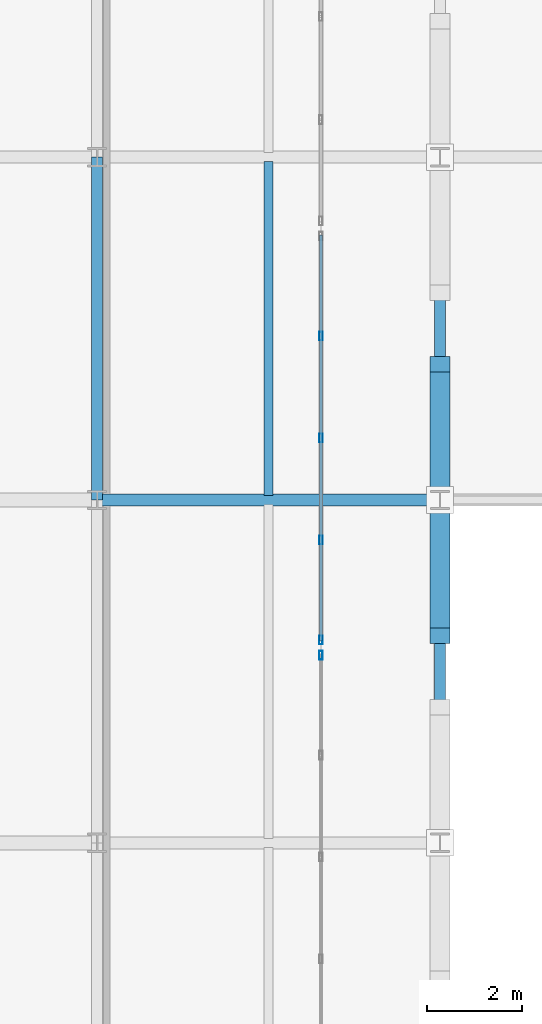
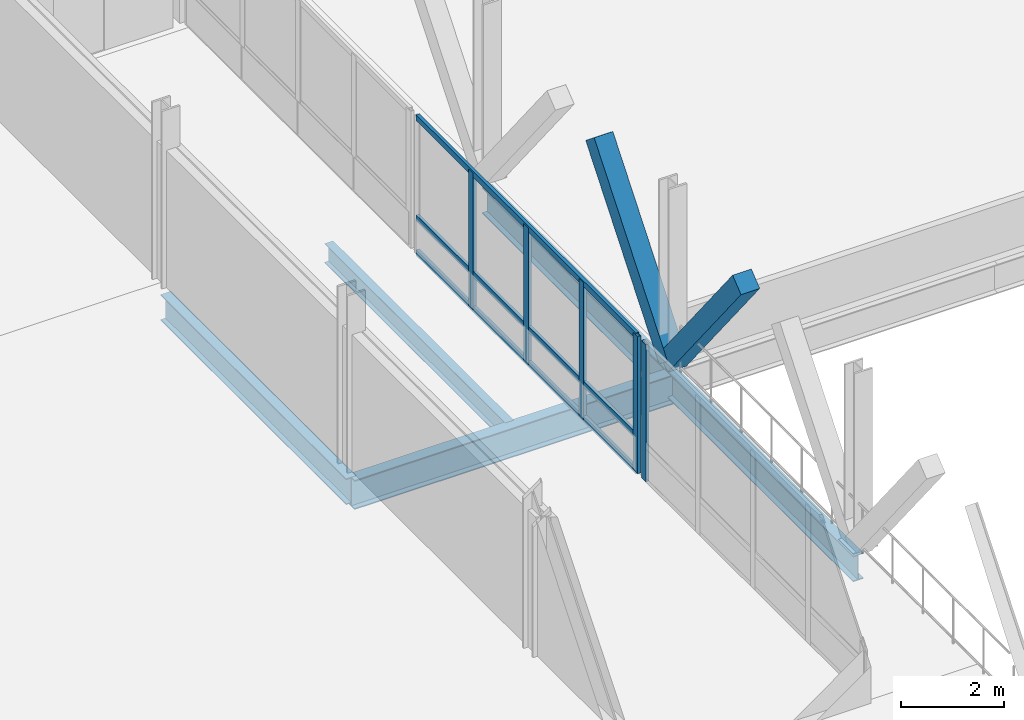
# One storey, part 19 of 102: 10 members, 5 beams, 2 elements without a shape of their own.
"""IFC4 building model written with IfcOpenShell, lengths in metres."""

from ifc_helpers import new_model, si_unit, direction, frame, origin, origin_2d, place, context, subcontext, project, spatial, rectangle, hollow_rectangle, i_section, extrude, material, material_profile, profile_set, type_object, element, aggregate, save


model = new_model("IFC4")

# Units and contexts
model_context = context("Model", 3, precision=1e-05, world=origin(), true_north=direction((0.0, 1.0)))
body_context = subcontext(model_context, "Body", "Model", "MODEL_VIEW")
ifc_project = project(units=[si_unit("LENGTHUNIT", "METRE"), si_unit("AREAUNIT", "SQUARE_METRE"), si_unit("VOLUMEUNIT", "CUBIC_METRE"), si_unit("PLANEANGLEUNIT", "RADIAN"), si_unit("MASSUNIT", "GRAM", prefix="KILO")], contexts=[model_context])

# Site, building, storey
site_placement = place(None, origin())
site = spatial("IfcSite", under=ifc_project, at=site_placement, CompositionType="ELEMENT")
building_placement = place(site_placement, origin())
building = spatial("IfcBuilding", under=site, at=building_placement, Name="Yarey Park Central Fire Station", CompositionType="ELEMENT")
storey_placement = place(building_placement, frame((0.0, 0.0, 6.0)))
storey = spatial("IfcBuildingStorey", under=building, at=storey_placement, Name="L02", CompositionType="ELEMENT", Elevation=6.0)

# Curtain wall, member
ifc_material_1 = material(Name="Anodized Aluminium Frame", Category="aluminium")
curtain_wall_type = type_object("IfcCurtainWallType", Name="ENV_CW_V3_GALW", PredefinedType="NOTDEFINED", material=ifc_material_1)
curtain_wall_1_placement = place(storey_placement, origin())
curtain_wall_1 = element("IfcCurtainWall", 1, at=curtain_wall_1_placement, inside=storey, type_object=curtain_wall_type, Name="CW_L02_V1_E_037", PredefinedType="NOTDEFINED")
ifc_material_profile_1 = material_profile(ifc_material_1, hollow_rectangle(XDim=0.070068359375, YDim=0.179931640625, WallThickness=0.00390625, at=origin_2d()), Name="ALU 180x70x4")
ifc_profile_set_1 = profile_set([ifc_material_profile_1], Name="Anodized Aluminium Frame")
member_type_1 = type_object("IfcMemberType", Name="ENV_CW_MULLION", PredefinedType="MULLION", material=ifc_profile_set_1)
member_1_placement = place(storey_placement, frame((55.10009765625, 32.739990234375, 0.0), z_axis=(0.0, 0.0, 1.0), x_axis=(1.0, 0.0, 0.0)))
member_1 = element("IfcMember", 2, at=member_1_placement, type_object=member_type_1, Name="CW_L02_V1_E_037_MUL5", PredefinedType="MULLION", context=body_context, shape_type="SweptSolid", body=[
    extrude(hollow_rectangle(XDim=0.070068359375, YDim=0.179931640625, WallThickness=0.00390625, at=origin_2d()), origin(), (0.0, 0.0, 1.0), 3.2470703125),
])
aggregate(curtain_wall_1, [member_1])

# Curtain wall, members
curtain_wall_2_placement = place(storey_placement, origin())
curtain_wall_2 = element("IfcCurtainWall", 3, at=curtain_wall_2_placement, inside=storey, type_object=curtain_wall_type, Name="CW_L02_V1_E_038", PredefinedType="NOTDEFINED")
member_2_placement = place(storey_placement, frame((55.10009765625, 33.06005859375, 0.0), z_axis=(0.0, 0.0, 1.0), x_axis=(1.0, 0.0, 0.0)))
member_2 = element("IfcMember", 4, at=member_2_placement, type_object=member_type_1, Name="CW_L02_V1_E_038_MUL1", PredefinedType="MULLION", context=body_context, shape_type="SweptSolid", body=[
    extrude(hollow_rectangle(XDim=0.070068359375, YDim=0.179931640625, WallThickness=0.00390625, at=origin_2d()), origin(), (0.0, 0.0, 1.0), 3.2470703125),
])
member_3_placement = place(storey_placement, frame((55.10009765625, 35.159912109375, 0.0), z_axis=(0.0, 0.0, 1.0), x_axis=(1.0, 0.0, 0.0)))
member_3 = element("IfcMember", 5, at=member_3_placement, type_object=member_type_1, Name="CW_L02_V1_E_038_MUL2", PredefinedType="MULLION", context=body_context, shape_type="SweptSolid", body=[
    extrude(hollow_rectangle(XDim=0.070068359375, YDim=0.179931640625, WallThickness=0.00390625, at=origin_2d()), origin(), (0.0, 0.0, 1.0), 3.2470703125),
])
member_4_placement = place(storey_placement, frame((55.10009765625, 37.300048828125, 0.0), z_axis=(0.0, 0.0, 1.0), x_axis=(1.0, 0.0, 0.0)))
member_4 = element("IfcMember", 6, at=member_4_placement, type_object=member_type_1, Name="CW_L02_V1_E_038_MUL3", PredefinedType="MULLION", context=body_context, shape_type="SweptSolid", body=[
    extrude(hollow_rectangle(XDim=0.070068359375, YDim=0.179931640625, WallThickness=0.00390625, at=origin_2d()), origin(), (0.0, 0.0, 1.0), 3.2470703125),
])
member_5_placement = place(storey_placement, frame((55.10009765625, 39.43994140625, 0.0), z_axis=(0.0, 0.0, 1.0), x_axis=(1.0, 0.0, 0.0)))
member_5 = element("IfcMember", 7, at=member_5_placement, type_object=member_type_1, Name="CW_L02_V1_E_038_MUL4", PredefinedType="MULLION", context=body_context, shape_type="SweptSolid", body=[
    extrude(hollow_rectangle(XDim=0.070068359375, YDim=0.179931640625, WallThickness=0.00390625, at=origin_2d()), origin(), (0.0, 0.0, 1.0), 3.2470703125),
])
ifc_material_profile_2 = material_profile(ifc_material_1, hollow_rectangle(XDim=0.070068359375, YDim=0.139892578125, WallThickness=0.00390625, at=origin_2d()), Name="ALU 140x70x4")
ifc_profile_set_2 = profile_set([ifc_material_profile_2], Name="Anodized Aluminium Frame")
member_type_2 = type_object("IfcMemberType", Name="ENV_CW_TRANSOM", PredefinedType="USERDEFINED", material=ifc_profile_set_2)
member_6_placement = place(storey_placement, frame((55.10009765625, 33.034912109375, 0.02490234375), z_axis=(0.0, 1.0, 0.0), x_axis=(-1.0, 0.0, 0.0)))
member_6 = element("IfcMember", 8, at=member_6_placement, type_object=member_type_2, Name="CW_L02_V1_E_038_TRN1", ObjectType="TRANSOM", PredefinedType="USERDEFINED", context=body_context, shape_type="SweptSolid", body=[
    extrude(hollow_rectangle(XDim=0.070068359375, YDim=0.139892578125, WallThickness=0.00390625, at=origin_2d()), origin(), (0.0, 0.0, 1.0), 8.530029296875),
])
member_7_placement = place(storey_placement, frame((55.10009765625, 33.034912109375, 0.85009765625), z_axis=(0.0, 1.0, 0.0), x_axis=(-1.0, 0.0, 0.0)))
member_7 = element("IfcMember", 9, at=member_7_placement, type_object=member_type_2, Name="CW_L02_V1_E_038_TRN2", ObjectType="TRANSOM", PredefinedType="USERDEFINED", context=body_context, shape_type="SweptSolid", body=[
    extrude(hollow_rectangle(XDim=0.070068359375, YDim=0.139892578125, WallThickness=0.00390625, at=origin_2d()), origin(), (0.0, 0.0, 1.0), 8.530029296875),
])
member_8_placement = place(storey_placement, frame((55.10009765625, 33.034912109375, 3.221923828125), z_axis=(0.0, 1.0, 0.0), x_axis=(-1.0, 0.0, 0.0)))
member_8 = element("IfcMember", 10, at=member_8_placement, type_object=member_type_2, Name="CW_L02_V1_E_038_TRN3", ObjectType="TRANSOM", PredefinedType="USERDEFINED", context=body_context, shape_type="SweptSolid", body=[
    extrude(hollow_rectangle(XDim=0.070068359375, YDim=0.139892578125, WallThickness=0.00390625, at=origin_2d()), origin(), (0.0, 0.0, 1.0), 8.530029296875),
])
aggregate(curtain_wall_2, [member_2, member_3, member_4, member_5, member_6, member_7, member_8])

# Beams
ifc_material_2 = material(Name="Steel ASTM A992 Gr. 50", Category="steel")
ifc_material_profile_3 = material_profile(ifc_material_2, i_section(OverallWidth=0.22900390625, OverallDepth=0.612060546875, WebThickness=0.011962890625, FlangeThickness=0.01953125, at=origin_2d()), Name="W610x125")
ifc_profile_set_3 = profile_set([ifc_material_profile_3], Name="Steel ASTM A992 Gr. 50")
beam_type_1 = type_object("IfcBeamType", Name="STR_BM_W610", PredefinedType="BEAM", material=ifc_profile_set_3)
for number, where, z_axis, x_axis, name in (
    (11, (50.39990234375, 36.0, -0.591064453125), (0.0, 1.0, 0.0), (-1.0, 0.0, 0.0), "BMY L02 X504 Y360"),
    (12, (57.60009765625, 28.800048828125, -0.575927734375), (0.0, 1.0, 0.0), (-1.0, 0.0, 0.0), "BMY L02 X576 Y288"),
    (13, (57.60009765625, 36.0, -0.575927734375), (0.0, 1.0, 0.0), (-1.0, 0.0, 0.0), "BMY L02 X576 Y360"),
):
    element("IfcBeam", number, at=place(storey_placement, frame(where, z_axis=z_axis, x_axis=x_axis)), inside=storey, type_object=beam_type_1, Name=name, PredefinedType="BEAM", context=body_context, shape_type="SweptSolid", body=[
        extrude(i_section(OverallWidth=0.22900390625, OverallDepth=0.612060546875, WebThickness=0.011962890625, FlangeThickness=0.01953125, at=origin_2d()), origin(), (0.0, 0.0, 1.0), 7.199951171875),
    ])
ifc_material_profile_4 = material_profile(ifc_material_2, i_section(OverallWidth=0.256103515625, OverallDepth=0.693115234375, WebThickness=0.014404296875, FlangeThickness=0.023681640625, at=origin_2d()), Name="W690x170")
ifc_profile_set_4 = profile_set([ifc_material_profile_4], Name="Steel ASTM A992 Gr. 50")
beam_type_2 = type_object("IfcBeamType", Name="STR_BM_W690", PredefinedType="BEAM", material=ifc_profile_set_4)
beam_1_placement = place(storey_placement, frame((50.39990234375, 36.0, -0.631591796875), z_axis=(1.0, 0.0, 0.0), x_axis=(0.0, 1.0, 0.0)))
element("IfcBeam", 14, at=beam_1_placement, inside=storey, type_object=beam_type_2, Name="BMX L02 Y360 X504", PredefinedType="BEAM", context=body_context, shape_type="SweptSolid", body=[
    extrude(i_section(OverallWidth=0.256103515625, OverallDepth=0.693115234375, WebThickness=0.014404296875, FlangeThickness=0.023681640625, at=origin_2d()), origin(), (0.0, 0.0, 1.0), 7.2001953125),
])
ifc_material_profile_5 = material_profile(ifc_material_2, i_section(OverallWidth=0.18994140625, OverallDepth=0.45703125, WebThickness=0.009033203125, FlangeThickness=0.014404296875, at=origin_2d()), Name="W460x74")
ifc_profile_set_5 = profile_set([ifc_material_profile_5], Name="Steel ASTM A992 Gr. 50")
beam_type_3 = type_object("IfcBeamType", Name="STR_JST_W460", PredefinedType="JOIST", material=ifc_profile_set_5)
beam_2_placement = place(storey_placement, frame((54.0, 36.094970703125, -0.513427734375), z_axis=(0.0, 1.0, 0.0), x_axis=(-1.0, 0.0, 0.0)))
element("IfcBeam", 15, at=beam_2_placement, inside=storey, type_object=beam_type_3, Name="JST L02 X540 Y360", PredefinedType="JOIST", context=body_context, shape_type="SweptSolid", body=[
    extrude(i_section(OverallWidth=0.18994140625, OverallDepth=0.45703125, WebThickness=0.009033203125, FlangeThickness=0.014404296875, at=origin_2d()), origin(), (0.0, 0.0, 1.0), 7.010009765625),
])

# Members
ifc_material_3 = material(Name="Glulam GL28h", Category="wood")
ifc_material_profile_6 = material_profile(ifc_material_3, rectangle(XDim=0.419921875, YDim=0.419921875, at=origin_2d()), Name="GL 420x420")
ifc_profile_set_6 = profile_set([ifc_material_profile_6], Name="Glulam GL28h")
member_type_3 = type_object("IfcMemberType", Name="STR_STRUT_GL420", PredefinedType="STRUT", material=ifc_profile_set_6)
for number, where, z_axis, x_axis, name in (
    (16, (57.60009765625, 36.0, -0.02001953125), (0.0, 0.623899588473, 0.781504512785), (-1.0, 0.0, 0.0), "Raked Glulam Strut RGS-67"),
    (17, (57.60009765625, 36.0, -0.02001953125), (0.0, -0.623899588473, 0.781504512785), (1.0, 0.0, 0.0), "Raked Glulam Strut RGS-68"),
):
    element("IfcMember", number, at=place(storey_placement, frame(where, z_axis=z_axis, x_axis=x_axis)), inside=storey, type_object=member_type_3, Name=name, PredefinedType="STRUT", context=body_context, shape_type="SweptSolid", body=[
        extrude(rectangle(XDim=0.419921875, YDim=0.419921875, at=origin_2d()), origin(), (0.0, 0.0, 1.0), 4.568115234375),
    ])

save(model, "model.ifc")
